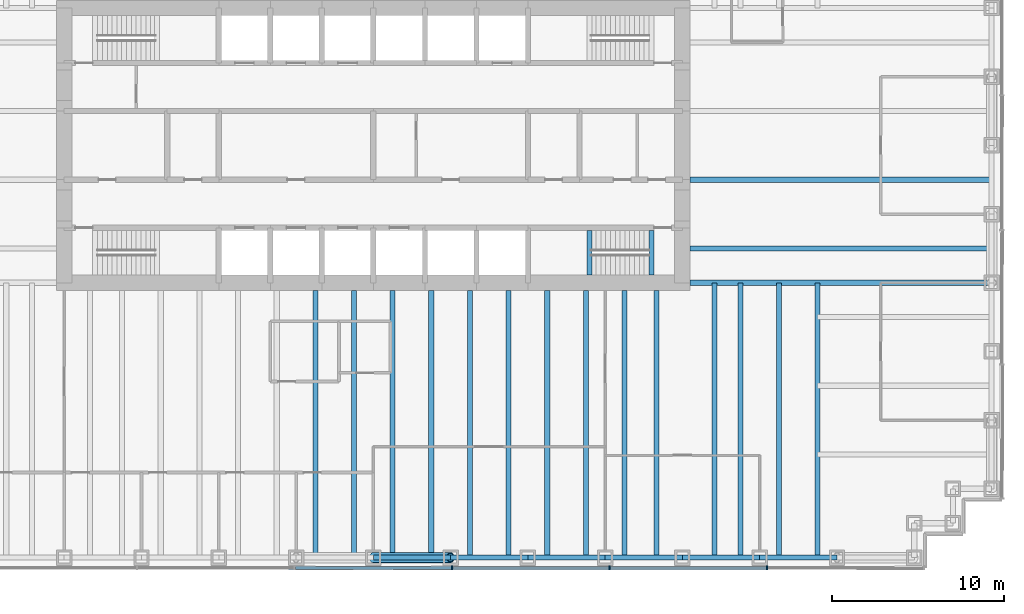
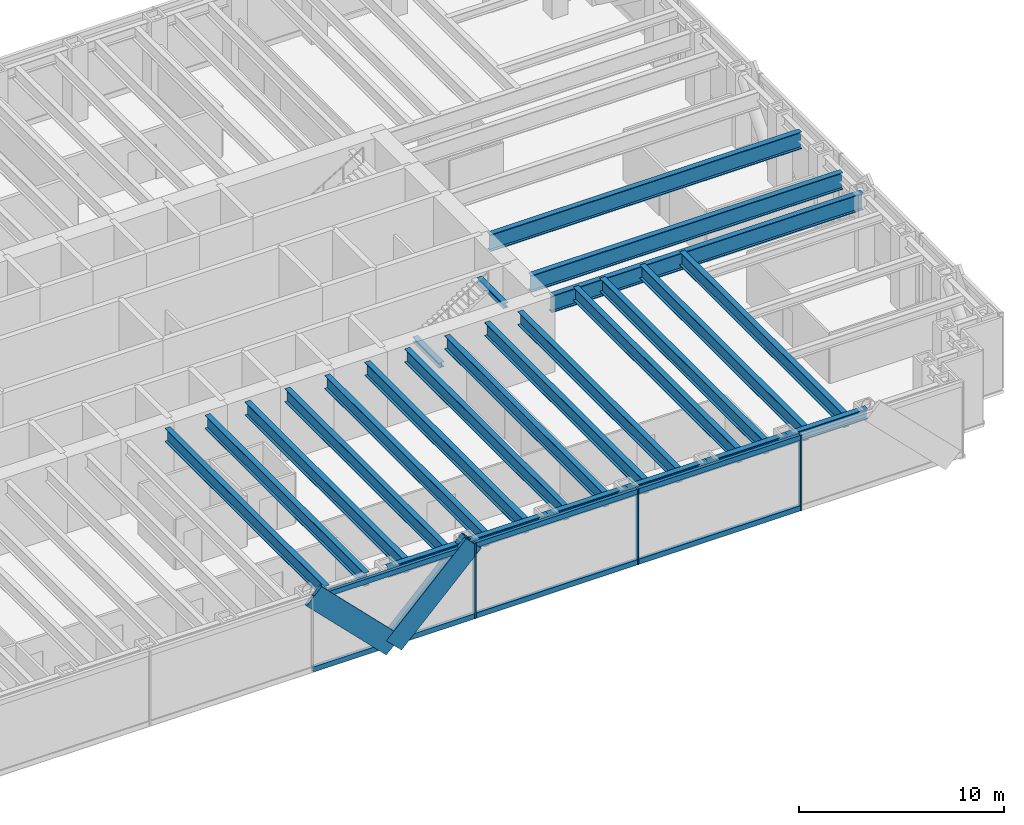
# One storey, part 3 of 13: 25 beams, 12 members, 1 element without a shape of its own.
"""IFC4 building model written with IfcOpenShell, lengths in metres."""

from ifc_helpers import new_model, si_unit, direction, frame, origin, origin_2d, place, context, subcontext, project, spatial, rectangle, hollow_circle, i_section, extrude, material, material_profile, profile_set, type_object, element, aggregate, save


model = new_model("IFC4")

# Units and contexts
model_context = context("Model", 3, precision=1e-05, world=origin(), true_north=direction((0.0, 1.0)))
body_context = subcontext(model_context, "Body", "Model", "MODEL_VIEW")
ifc_project = project(units=[si_unit("LENGTHUNIT", "METRE"), si_unit("AREAUNIT", "SQUARE_METRE"), si_unit("VOLUMEUNIT", "CUBIC_METRE"), si_unit("PLANEANGLEUNIT", "RADIAN"), si_unit("MASSUNIT", "GRAM", prefix="KILO")], contexts=[model_context])

# Site, building, storey
site_placement = place(None, origin())
site = spatial("IfcSite", under=ifc_project, at=site_placement, CompositionType="ELEMENT")
building_placement = place(site_placement, origin())
building = spatial("IfcBuilding", under=site, at=building_placement, Name="Rheinbord Bourse Tower", CompositionType="ELEMENT")
storey_placement = place(building_placement, frame((0.0, 0.0, 63.5)))
storey = spatial("IfcBuildingStorey", under=building, at=storey_placement, Name="L13", CompositionType="ELEMENT", Elevation=63.5)

# Curtain wall, members
ifc_material_1 = material(Name="Dark glass and black aluminium", Category="aluminium")
curtain_wall_type = type_object("IfcCurtainWallType", Name="CW1 DARK GLASS CURTAIN WALL", PredefinedType="USERDEFINED", material=ifc_material_1)
curtain_wall_placement = place(storey_placement, origin())
curtain_wall = element("IfcCurtainWall", 1, at=curtain_wall_placement, inside=storey, type_object=curtain_wall_type, Name="Curtain wall CW1 S L13", ObjectType="UNITISED CURTAIN WALL", PredefinedType="USERDEFINED")
ifc_material_2 = material(Name="Black anodised aluminium", Category="aluminium")
ifc_material_profile_1 = material_profile(ifc_material_2, rectangle(XDim=0.179931640625, YDim=1.2099609375, at=origin_2d()), Name="CW1 DIAGONAL MULLION 1210x180")
ifc_profile_set_1 = profile_set([ifc_material_profile_1], Name="Black anodised aluminium")
member_type_1 = type_object("IfcMemberType", Name="CW1 BLACK DIAGONAL MULLION", PredefinedType="USERDEFINED", material=ifc_profile_set_1)
member_1_placement = place(storey_placement, frame((36.0, -0.60009765625, 0.0), z_axis=(-0.707106781187, 0.0, 0.707106781187), x_axis=(0.0, -1.0, 0.0)))
member_1 = element("IfcMember", 2, at=member_1_placement, type_object=member_type_1, Name="CW1 diagonal mullion c", ObjectType="DIAGONAL MULLION", PredefinedType="USERDEFINED", context=body_context, shape_type="SweptSolid", body=[
    extrude(rectangle(XDim=0.179931640625, YDim=1.2099609375, at=origin_2d()), origin(), (0.0, 0.0, 1.0), 6.364013671875),
])
member_2_placement = place(storey_placement, frame((36.0, -0.60009765625, 0.0), z_axis=(0.707106781187, 0.0, 0.707106781187), x_axis=(0.0, 1.0, 0.0)))
member_2 = element("IfcMember", 3, at=member_2_placement, type_object=member_type_1, Name="CW1 diagonal mullion d", ObjectType="DIAGONAL MULLION", PredefinedType="USERDEFINED", context=body_context, shape_type="SweptSolid", body=[
    extrude(rectangle(XDim=0.179931640625, YDim=1.2099609375, at=origin_2d()), origin(), (0.0, 0.0, 1.0), 6.364013671875),
])
ifc_material_3 = material(Name="Black anodised aluminium", Category="aluminium")
ifc_material_profile_2 = material_profile(ifc_material_3, rectangle(XDim=0.25, YDim=0.080078125, at=origin_2d()), Name="CW1 MULLION 80x250")
ifc_profile_set_2 = profile_set([ifc_material_profile_2], Name="Black anodised aluminium")
member_type_2 = type_object("IfcMemberType", Name="CW1 BLACK MULLION", PredefinedType="MULLION", material=ifc_profile_set_2)
member_3_placement = place(storey_placement, frame((40.585693359375, -0.60009765625, 0.0), z_axis=(0.0, 0.0, 1.0), x_axis=(0.0, 1.0, 0.0)))
member_3 = element("IfcMember", 4, at=member_3_placement, type_object=member_type_2, Name="CW1 mullion 5", PredefinedType="MULLION", context=body_context, shape_type="SweptSolid", body=[
    extrude(rectangle(XDim=0.25, YDim=0.080078125, at=origin_2d()), origin(), (0.0, 0.0, 1.0), 4.5),
])
member_4_placement = place(storey_placement, frame((49.757080078125, -0.60009765625, 0.0), z_axis=(0.0, 0.0, 1.0), x_axis=(0.0, 1.0, 0.0)))
member_4 = element("IfcMember", 5, at=member_4_placement, type_object=member_type_2, Name="CW1 mullion 6", PredefinedType="MULLION", context=body_context, shape_type="SweptSolid", body=[
    extrude(rectangle(XDim=0.25, YDim=0.080078125, at=origin_2d()), origin(), (0.0, 0.0, 1.0), 4.5),
])
member_5_placement = place(storey_placement, frame((58.928466796875, -0.60009765625, 0.0), z_axis=(0.0, 0.0, 1.0), x_axis=(0.0, 1.0, 0.0)))
member_5 = element("IfcMember", 6, at=member_5_placement, type_object=member_type_2, Name="CW1 mullion 7", PredefinedType="MULLION", context=body_context, shape_type="SweptSolid", body=[
    extrude(rectangle(XDim=0.25, YDim=0.080078125, at=origin_2d()), origin(), (0.0, 0.0, 1.0), 4.5),
])
ifc_material_4 = material(Name="Black anodised aluminium", Category="aluminium")
ifc_material_profile_3 = material_profile(ifc_material_4, rectangle(XDim=0.179931640625, YDim=0.300048828125, at=origin_2d()), Name="CW1 TRANSOM 300x180")
ifc_profile_set_3 = profile_set([ifc_material_profile_3], Name="Black anodised aluminium")
member_type_3 = type_object("IfcMemberType", Name="CW1 BLACK TRANSOM", PredefinedType="USERDEFINED", material=ifc_profile_set_3)
member_6_placement = place(storey_placement, frame((31.454345703125, -0.60009765625, 0.14990234375), z_axis=(1.0, 0.0, 0.0), x_axis=(0.0, 1.0, 0.0)))
member_6 = element("IfcMember", 7, at=member_6_placement, type_object=member_type_3, Name="CW1 transom 4.1", ObjectType="TRANSOM", PredefinedType="USERDEFINED", context=body_context, shape_type="SweptSolid", body=[
    extrude(rectangle(XDim=0.179931640625, YDim=0.300048828125, at=origin_2d()), origin(), (0.0, 0.0, 1.0), 9.09130859375),
])
member_7_placement = place(storey_placement, frame((31.454345703125, -0.60009765625, 4.35009765625), z_axis=(1.0, 0.0, 0.0), x_axis=(0.0, 1.0, 0.0)))
member_7 = element("IfcMember", 8, at=member_7_placement, type_object=member_type_3, Name="CW1 transom 4.2", ObjectType="TRANSOM", PredefinedType="USERDEFINED", context=body_context, shape_type="SweptSolid", body=[
    extrude(rectangle(XDim=0.179931640625, YDim=0.300048828125, at=origin_2d()), origin(), (0.0, 0.0, 1.0), 9.09130859375),
])
member_8_placement = place(storey_placement, frame((40.625732421875, -0.60009765625, 0.14990234375), z_axis=(1.0, 0.0, 0.0), x_axis=(0.0, 1.0, 0.0)))
member_8 = element("IfcMember", 9, at=member_8_placement, type_object=member_type_3, Name="CW1 transom 5.1", ObjectType="TRANSOM", PredefinedType="USERDEFINED", context=body_context, shape_type="SweptSolid", body=[
    extrude(rectangle(XDim=0.179931640625, YDim=0.300048828125, at=origin_2d()), origin(), (0.0, 0.0, 1.0), 9.09130859375),
])
member_9_placement = place(storey_placement, frame((40.625732421875, -0.60009765625, 4.35009765625), z_axis=(1.0, 0.0, 0.0), x_axis=(0.0, 1.0, 0.0)))
member_9 = element("IfcMember", 10, at=member_9_placement, type_object=member_type_3, Name="CW1 transom 5.2", ObjectType="TRANSOM", PredefinedType="USERDEFINED", context=body_context, shape_type="SweptSolid", body=[
    extrude(rectangle(XDim=0.179931640625, YDim=0.300048828125, at=origin_2d()), origin(), (0.0, 0.0, 1.0), 9.09130859375),
])
member_10_placement = place(storey_placement, frame((49.797119140625, -0.60009765625, 0.14990234375), z_axis=(1.0, 0.0, 0.0), x_axis=(0.0, 1.0, 0.0)))
member_10 = element("IfcMember", 11, at=member_10_placement, type_object=member_type_3, Name="CW1 transom 6.1", ObjectType="TRANSOM", PredefinedType="USERDEFINED", context=body_context, shape_type="SweptSolid", body=[
    extrude(rectangle(XDim=0.179931640625, YDim=0.300048828125, at=origin_2d()), origin(), (0.0, 0.0, 1.0), 9.091552734375),
])
member_11_placement = place(storey_placement, frame((49.797119140625, -0.60009765625, 4.35009765625), z_axis=(1.0, 0.0, 0.0), x_axis=(0.0, 1.0, 0.0)))
member_11 = element("IfcMember", 12, at=member_11_placement, type_object=member_type_3, Name="CW1 transom 6.2", ObjectType="TRANSOM", PredefinedType="USERDEFINED", context=body_context, shape_type="SweptSolid", body=[
    extrude(rectangle(XDim=0.179931640625, YDim=0.300048828125, at=origin_2d()), origin(), (0.0, 0.0, 1.0), 9.091552734375),
])
aggregate(curtain_wall, [member_3, member_4, member_5, member_6, member_7, member_8, member_9, member_10, member_11, member_1, member_2])

# Beams
ifc_material_5 = material(Name="Steel S460", Category="steel")
ifc_material_profile_4 = material_profile(ifc_material_5, i_section(OverallWidth=0.302001953125, OverallDepth=1.008056640625, WebThickness=0.02099609375, FlangeThickness=0.0400390625, at=origin_2d()), Name="HEM 1000")
ifc_profile_set_4 = profile_set([ifc_material_profile_4], Name="Steel S460")
beam_type_1 = type_object("IfcBeamType", Name="END BEAM HEM 1000", PredefinedType="BEAM", material=ifc_profile_set_4)
for number, where, z_axis, x_axis, name in (
    (13, (54.449951171875, 18.0, 3.81591796875), (1.0, 0.0, 0.0), (0.0, 1.0, 0.0), "End beam east 18 L14"),
    (14, (54.449951171875, 22.0, 3.81591796875), (1.0, 0.0, 0.0), (0.0, 1.0, 0.0), "End beam east 22 L14"),
):
    element("IfcBeam", number, at=place(storey_placement, frame(where, z_axis=z_axis, x_axis=x_axis)), inside=storey, type_object=beam_type_1, Name=name, PredefinedType="BEAM", context=body_context, shape_type="SweptSolid", body=[
        extrude(i_section(OverallWidth=0.302001953125, OverallDepth=1.008056640625, WebThickness=0.02099609375, FlangeThickness=0.0400390625, at=origin_2d()), origin(), (0.0, 0.0, 1.0), 17.550048828125),
    ])
ifc_material_6 = material(Name="Steel S460", Category="steel")
ifc_material_profile_5 = material_profile(ifc_material_6, i_section(OverallWidth=0.300048828125, OverallDepth=0.800048828125, WebThickness=0.017578125, FlangeThickness=0.032958984375, at=origin_2d()), Name="HEB 800")
ifc_profile_set_5 = profile_set([ifc_material_profile_5], Name="Steel S460")
beam_type_2 = type_object("IfcBeamType", Name="FLOOR BEAM HEB 800", PredefinedType="BEAM", material=ifc_profile_set_5)
for number, where, z_axis, x_axis, name in (
    (15, (32.625, 0.0, 3.919921875), (0.0, 1.0, 0.0), (-1.0, 0.0, 0.0), "Floor beam S-31.5a L14"),
    (16, (34.875, 0.0, 3.919921875), (0.0, 1.0, 0.0), (-1.0, 0.0, 0.0), "Floor beam S-31.5b L14"),
    (17, (37.125, 0.0, 3.919921875), (0.0, 1.0, 0.0), (-1.0, 0.0, 0.0), "Floor beam S-36a L14"),
    (18, (39.375, 0.0, 3.919921875), (0.0, 1.0, 0.0), (-1.0, 0.0, 0.0), "Floor beam S-36b L14"),
    (19, (41.625, 0.0, 3.919921875), (0.0, 1.0, 0.0), (-1.0, 0.0, 0.0), "Floor beam S-40.5a L14"),
    (20, (43.875, 0.0, 3.919921875), (0.0, 1.0, 0.0), (-1.0, 0.0, 0.0), "Floor beam S-40.5b L14"),
    (21, (46.125, 0.0, 3.919921875), (0.0, 1.0, 0.0), (-1.0, 0.0, 0.0), "Floor beam S-45a L14"),
    (22, (48.375, 0.0, 3.919921875), (0.0, 1.0, 0.0), (-1.0, 0.0, 0.0), "Floor beam S-45b L14"),
    (23, (50.625, 0.0, 3.919921875), (0.0, 1.0, 0.0), (-1.0, 0.0, 0.0), "Floor beam S-49.5a L14"),
    (24, (52.5, 0.0, 3.919921875), (0.0, 1.0, 0.0), (-1.0, 0.0, 0.0), "Floor beam S-49.5b L14"),
):
    element("IfcBeam", number, at=place(storey_placement, frame(where, z_axis=z_axis, x_axis=x_axis)), inside=storey, type_object=beam_type_2, Name=name, PredefinedType="BEAM", context=body_context, shape_type="SweptSolid", body=[
        extrude(i_section(OverallWidth=0.300048828125, OverallDepth=0.800048828125, WebThickness=0.017578125, FlangeThickness=0.032958984375, at=origin_2d()), origin(), (0.0, 0.0, 1.0), 15.550048828125),
    ])
for number, where, z_axis, x_axis, name in (
    (25, (55.875, 0.0, 3.919921875), (0.0, 1.0, 0.0), (-1.0, 0.0, 0.0), "Floor beam S-54a L14"),
    (26, (57.375, 0.0, 3.919921875), (0.0, 1.0, 0.0), (-1.0, 0.0, 0.0), "Floor beam S-54b L14"),
    (27, (59.625, 0.0, 3.919921875), (0.0, 1.0, 0.0), (-1.0, 0.0, 0.0), "Floor beam S-58.5a L14"),
    (28, (61.875, 0.0, 3.919921875), (0.0, 1.0, 0.0), (-1.0, 0.0, 0.0), "Floor beam S-58.5b L14"),
):
    element("IfcBeam", number, at=place(storey_placement, frame(where, z_axis=z_axis, x_axis=x_axis)), inside=storey, type_object=beam_type_2, Name=name, PredefinedType="BEAM", context=body_context, shape_type="SweptSolid", body=[
        extrude(i_section(OverallWidth=0.300048828125, OverallDepth=0.800048828125, WebThickness=0.017578125, FlangeThickness=0.032958984375, at=origin_2d()), origin(), (0.0, 0.0, 1.0), 16.0),
    ])
ifc_material_7 = material(Name="Steel S460", Category="steel")
ifc_material_profile_6 = material_profile(ifc_material_7, i_section(OverallWidth=0.302001953125, OverallDepth=1.008056640625, WebThickness=0.02099609375, FlangeThickness=0.0400390625, at=origin_2d()), Name="HEM 1000")
ifc_profile_set_6 = profile_set([ifc_material_profile_6], Name="Steel S460")
beam_type_3 = type_object("IfcBeamType", Name="GIRDER HEM 1000", PredefinedType="BEAM", material=ifc_profile_set_6)
beam_placement = place(storey_placement, frame((54.449951171875, 16.0, 3.81591796875), z_axis=(1.0, 0.0, 0.0), x_axis=(0.0, 1.0, 0.0)))
element("IfcBeam", 29, at=beam_placement, inside=storey, type_object=beam_type_3, Name="Girder east 16 L14", PredefinedType="BEAM", context=body_context, shape_type="SweptSolid", body=[
    extrude(i_section(OverallWidth=0.302001953125, OverallDepth=1.008056640625, WebThickness=0.02099609375, FlangeThickness=0.0400390625, at=origin_2d()), origin(), (0.0, 0.0, 1.0), 17.550048828125),
])
ifc_material_8 = material(Name="Steel S460", Category="steel")
ifc_material_profile_7 = material_profile(ifc_material_8, i_section(OverallWidth=0.300048828125, OverallDepth=0.300048828125, WebThickness=0.010986328125, FlangeThickness=0.01904296875, at=origin_2d()), Name="HEB 300")
ifc_profile_set_7 = profile_set([ifc_material_profile_7], Name="Steel S460")
beam_type_4 = type_object("IfcBeamType", Name="LANDING TRIMMER HEB 300", PredefinedType="BEAM", material=ifc_profile_set_7)
for number, where, z_axis, x_axis, name in (
    (30, (48.590087890625, 16.449951171875, 1.89990234375), (0.0, 1.0, 0.0), (-1.0, 0.0, 0.0), "Landing trimmer ST3 L13"),
    (31, (52.199951171875, 16.449951171875, 4.169921875), (0.0, 1.0, 0.0), (-1.0, 0.0, 0.0), "Well trimmer ST3 under L14"),
):
    element("IfcBeam", number, at=place(storey_placement, frame(where, z_axis=z_axis, x_axis=x_axis)), inside=storey, type_object=beam_type_4, Name=name, PredefinedType="BEAM", context=body_context, shape_type="SweptSolid", body=[
        extrude(i_section(OverallWidth=0.300048828125, OverallDepth=0.300048828125, WebThickness=0.010986328125, FlangeThickness=0.01904296875, at=origin_2d()), origin(), (0.0, 0.0, 1.0), 2.60009765625),
    ])

# Member
ifc_material_9 = material(Name="Steel S460", Category="steel")
ifc_material_profile_8 = material_profile(ifc_material_9, hollow_circle(Radius=0.304931640625, WallThickness=0.050048828125, at=origin_2d()), Name="CHS 610x50")
ifc_profile_set_8 = profile_set([ifc_material_profile_8], Name="Steel S460")
member_type_4 = type_object("IfcMemberType", Name="MEGABRACE CHS 610x50", PredefinedType="BRACE", material=ifc_profile_set_8)
member_12_placement = place(storey_placement, frame((36.0, 0.0, 0.0), z_axis=(0.707106781187, 0.0, 0.707106781187), x_axis=(0.0, 1.0, 0.0)))
element("IfcMember", 32, at=member_12_placement, inside=storey, type_object=member_type_4, Name="Megabrace S face line d L13", PredefinedType="BRACE", context=body_context, shape_type="SweptSolid", body=[
    extrude(hollow_circle(Radius=0.304931640625, WallThickness=0.050048828125, at=origin_2d()), origin(), (0.0, 0.0, 1.0), 6.364013671875),
])

# Beams
ifc_material_10 = material(Name="Steel S460", Category="steel")
ifc_material_profile_9 = material_profile(ifc_material_10, i_section(OverallWidth=0.304931640625, OverallDepth=0.6201171875, WebThickness=0.02099609375, FlangeThickness=0.0400390625, at=origin_2d()), Name="HEM 600")
ifc_profile_set_9 = profile_set([ifc_material_profile_9], Name="Steel S460")
beam_type_5 = type_object("IfcBeamType", Name="SPANDREL HEM 600", PredefinedType="SPANDREL", material=ifc_profile_set_9)
for number, where, z_axis, x_axis, name in (
    (33, (36.0, 0.0, 4.010009765625), (1.0, 0.0, 0.0), (0.0, 1.0, 0.0), "Spandrel S-36-S-40.5 under L14"),
    (34, (40.5, 0.0, 4.010009765625), (1.0, 0.0, 0.0), (0.0, 1.0, 0.0), "Spandrel S-40.5-S-45 under L14"),
    (35, (45.0, 0.0, 4.010009765625), (1.0, 0.0, 0.0), (0.0, 1.0, 0.0), "Spandrel S-45-S-49.5 under L14"),
    (36, (49.5, 0.0, 4.010009765625), (1.0, 0.0, 0.0), (0.0, 1.0, 0.0), "Spandrel S-49.5-S-54 under L14"),
    (37, (54.0, 0.0, 4.010009765625), (1.0, 0.0, 0.0), (0.0, 1.0, 0.0), "Spandrel S-54-S-58.5 under L14"),
    (38, (58.5, 0.0, 4.010009765625), (1.0, 0.0, 0.0), (0.0, 1.0, 0.0), "Spandrel S-58.5-S-63 under L14"),
):
    element("IfcBeam", number, at=place(storey_placement, frame(where, z_axis=z_axis, x_axis=x_axis)), inside=storey, type_object=beam_type_5, Name=name, PredefinedType="SPANDREL", context=body_context, shape_type="SweptSolid", body=[
        extrude(i_section(OverallWidth=0.304931640625, OverallDepth=0.6201171875, WebThickness=0.02099609375, FlangeThickness=0.0400390625, at=origin_2d()), origin(), (0.0, 0.0, 1.0), 4.5),
    ])

save(model, "model.ifc")
